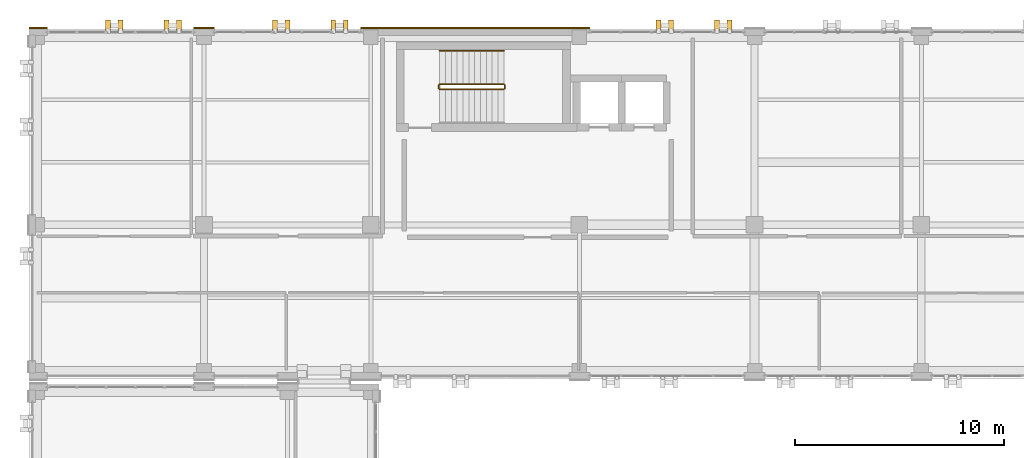
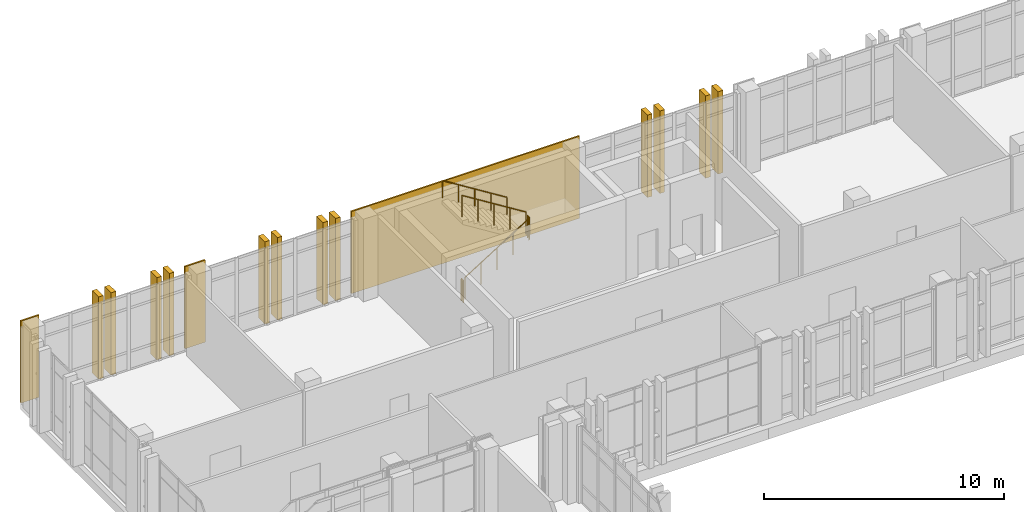
# One storey, part 184 of 193: 15 coverings, 5 railings.
"""IFC4 building model written with IfcOpenShell, lengths in metres."""

from ifc_helpers import new_model, si_unit, direction, frame, origin, origin_2d, place, context, subcontext, project, spatial, rectangle, circle, extrude, material, layer, layer_set, type_object, element, save


model = new_model("IFC4")

# Units and contexts
model_context = context("Model", 3, precision=1e-05, world=origin(), true_north=direction((0.0, 1.0)))
body_context = subcontext(model_context, "Body", "Model", "MODEL_VIEW")
ifc_project = project(units=[si_unit("LENGTHUNIT", "METRE"), si_unit("AREAUNIT", "SQUARE_METRE"), si_unit("VOLUMEUNIT", "CUBIC_METRE"), si_unit("PLANEANGLEUNIT", "RADIAN"), si_unit("MASSUNIT", "GRAM", prefix="KILO")], contexts=[model_context])

# Site, building, storey
site_placement = place(None, origin())
site = spatial("IfcSite", under=ifc_project, at=site_placement, CompositionType="ELEMENT")
building_placement = place(site_placement, origin())
building = spatial("IfcBuilding", under=site, at=building_placement, Name="Qalavern Law Courts", CompositionType="ELEMENT")
storey_placement = place(building_placement, frame((0.0, 0.0, 10.199951171875)))
storey = spatial("IfcBuildingStorey", under=building, at=storey_placement, Name="L02", CompositionType="ELEMENT", Elevation=10.199951171875)

# Coverings
ifc_material_1 = material(Name="Precast concrete C40/50", Category="concrete")
ifc_layer_1 = layer(ifc_material_1, 0.22998046875)
ifc_layer_set_1 = layer_set([ifc_layer_1], Name="Precast concrete C40/50")
covering_type_1 = type_object("IfcCoveringType", Name="ENV-BLD-2", PredefinedType="CLADDING", material=ifc_layer_set_1)
for number, where, z_axis, x_axis, name in (
    (1, (35.60009765625, 113.155029296875, 0.005126953125), (0.0, 0.0, 1.0), (0.0, 1.0, 0.0), "Absheron stone facade blade 0991"),
    (2, (35.0, 113.155029296875, 0.005126953125), (0.0, 0.0, 1.0), (0.0, 1.0, 0.0), "Absheron stone facade blade 0992"),
    (3, (32.800048828125, 113.155029296875, 0.005126953125), (0.0, 0.0, 1.0), (0.0, 1.0, 0.0), "Absheron stone facade blade 0993"),
    (4, (32.199951171875, 113.155029296875, 0.005126953125), (0.0, 0.0, 1.0), (0.0, 1.0, 0.0), "Absheron stone facade blade 0994"),
    (5, (17.199951171875, 113.155029296875, 0.005126953125), (0.0, 0.0, 1.0), (0.0, 1.0, 0.0), "Absheron stone facade blade 0995"),
    (6, (16.60009765625, 113.155029296875, 0.005126953125), (0.0, 0.0, 1.0), (0.0, 1.0, 0.0), "Absheron stone facade blade 0996"),
    (7, (14.39990234375, 113.155029296875, 0.005126953125), (0.0, 0.0, 1.0), (0.0, 1.0, 0.0), "Absheron stone facade blade 0997"),
    (8, (13.800048828125, 113.155029296875, 0.005126953125), (0.0, 0.0, 1.0), (0.0, 1.0, 0.0), "Absheron stone facade blade 0998"),
    (9, (9.199951171875, 113.155029296875, 0.005126953125), (0.0, 0.0, 1.0), (0.0, 1.0, 0.0), "Absheron stone facade blade 0999"),
    (10, (8.60009765625, 113.155029296875, 0.005126953125), (0.0, 0.0, 1.0), (0.0, 1.0, 0.0), "Absheron stone facade blade 1000"),
    (11, (6.39990234375, 113.155029296875, 0.005126953125), (0.0, 0.0, 1.0), (0.0, 1.0, 0.0), "Absheron stone facade blade 1001"),
    (12, (5.800048828125, 113.155029296875, 0.005126953125), (0.0, 0.0, 1.0), (0.0, 1.0, 0.0), "Absheron stone facade blade 1002"),
):
    element("IfcCovering", number, at=place(storey_placement, frame(where, z_axis=z_axis, x_axis=x_axis)), inside=storey, type_object=covering_type_1, Name=name, PredefinedType="CLADDING", context=body_context, shape_type="SweptSolid", body=[
        extrude(rectangle(XDim=0.5400390625, YDim=0.22998046875, at=origin_2d()), origin(), (0.0, 0.0, 1.0), 4.18994140625),
    ])
ifc_layer_2 = layer(ifc_material_1, 0.072021484375)
ifc_layer_set_2 = layer_set([ifc_layer_2], Name="Precast concrete C40/50")
covering_type_2 = type_object("IfcCoveringType", Name="ENV-CLD-2", PredefinedType="CLADDING", material=ifc_layer_set_2)
covering_1_placement = place(storey_placement, frame((23.39990234375, 113.032958984375, 0.01025390625), z_axis=(0.0, 0.0, 1.0), x_axis=(-1.0, 0.0, 0.0)))
element("IfcCovering", 13, at=covering_1_placement, inside=storey, type_object=covering_type_2, Name="V5 Absheron limestone pier facing L02 north 6", PredefinedType="CLADDING", context=body_context, shape_type="SweptSolid", body=[
    extrude(rectangle(XDim=10.97998046875, YDim=0.072021484375, at=origin_2d()), origin(), (0.0, 0.0, 1.0), 4.179931640625),
])
covering_2_placement = place(storey_placement, frame((10.39990234375, 113.032958984375, 0.01025390625), z_axis=(0.0, 0.0, 1.0), x_axis=(-1.0, 0.0, 0.0)))
element("IfcCovering", 14, at=covering_2_placement, inside=storey, type_object=covering_type_2, Name="V5 Absheron limestone pier facing L02 north 7", PredefinedType="CLADDING", context=body_context, shape_type="SweptSolid", body=[
    extrude(rectangle(XDim=0.97998046875, YDim=0.072021484375, at=origin_2d()), origin(), (0.0, 0.0, 1.0), 4.179931640625),
])
covering_3_placement = place(storey_placement, frame((2.449951171875, 113.032958984375, 0.01025390625), z_axis=(0.0, 0.0, 1.0), x_axis=(-1.0, 0.0, 0.0)))
element("IfcCovering", 15, at=covering_3_placement, inside=storey, type_object=covering_type_2, Name="V5 Absheron limestone pier facing L02 north 8", PredefinedType="CLADDING", context=body_context, shape_type="SweptSolid", body=[
    extrude(rectangle(XDim=0.8798828125, YDim=0.072021484375, at=origin_2d()), origin(), (0.0, 0.0, 1.0), 4.179931640625),
])

# Railings
ifc_material_2 = material(Name="Steel S355", Category="steel")
railing_type_1 = type_object("IfcRailingType", Name="INT-GUARD-1120", PredefinedType="BALUSTRADE", material=ifc_material_2)
railing_1_placement = place(storey_placement, frame((21.699951171875, 110.10009765625, 0.175048828125)))
element("IfcRailing", 16, at=railing_1_placement, inside=storey, type_object=railing_type_1, Name="L02 ST-K3 stair guard 1", PredefinedType="BALUSTRADE", context=body_context, shape_type="SweptSolid", body=[
    extrude(circle(Radius=0.02392578125, at=origin_2d()), frame((0.0, 0.0, 1.09619140625), z_axis=(0.847998304005, 0.0, 0.529998940003), x_axis=(0.0, 1.0, 0.0)), (0.0, 0.0, 1.0), 3.632080078125),
    extrude(circle(Radius=0.02099609375, at=origin_2d()), origin(), (0.0, 0.0, 1.0), 1.072021484375),
    extrude(circle(Radius=0.02099609375, at=origin_2d()), frame((0.77001953125, 0.0, 0.481201171875)), (0.0, 0.0, 1.0), 1.072021484375),
    extrude(circle(Radius=0.02099609375, at=origin_2d()), frame((1.5400390625, 0.0, 0.96240234375)), (0.0, 0.0, 1.0), 1.072021484375),
    extrude(circle(Radius=0.02099609375, at=origin_2d()), frame((2.31005859375, 0.0, 1.44384765625)), (0.0, 0.0, 1.0), 1.072021484375),
    extrude(circle(Radius=0.02099609375, at=origin_2d()), frame((3.080078125, 0.0, 1.925048828125)), (0.0, 0.0, 1.0), 1.072021484375),
])
railing_2_placement = place(storey_placement, frame((24.830078125, 110.14990234375, 2.10009765625)))
element("IfcRailing", 17, at=railing_2_placement, inside=storey, type_object=railing_type_1, Name="L02 ST-K3 stair guard 2", PredefinedType="BALUSTRADE", context=body_context, shape_type="SweptSolid", body=[
    extrude(circle(Radius=0.02392578125, at=origin_2d()), frame((0.0, 0.0, 1.09619140625), z_axis=(0.0, 1.0, 0.0), x_axis=(-1.0, 0.0, 0.0)), (0.0, 0.0, 1.0), 0.150146484375),
    extrude(circle(Radius=0.02099609375, at=origin_2d()), origin(), (0.0, 0.0, 1.0), 1.072021484375),
    extrude(circle(Radius=0.02099609375, at=origin_2d()), frame((0.0, 0.150146484375, 0.0)), (0.0, 0.0, 1.0), 1.072021484375),
])
railing_3_placement = place(storey_placement, frame((24.780029296875, 110.35009765625, 2.275146484375)))
element("IfcRailing", 18, at=railing_3_placement, inside=storey, type_object=railing_type_1, Name="L02 ST-K3 stair guard 3", PredefinedType="BALUSTRADE", context=body_context, shape_type="SweptSolid", body=[
    extrude(circle(Radius=0.02392578125, at=origin_2d()), frame((0.0, 0.0, 1.09619140625), z_axis=(-0.848028513186, 0.0, 0.529950602248), x_axis=(0.0, -1.0, 0.0)), (0.0, 0.0, 1.0), 3.632080078125),
    extrude(circle(Radius=0.02099609375, at=origin_2d()), origin(), (0.0, 0.0, 1.0), 1.072021484375),
    extrude(circle(Radius=0.02099609375, at=origin_2d()), frame((-0.77001953125, 0.0, 0.481201171875)), (0.0, 0.0, 1.0), 1.072021484375),
    extrude(circle(Radius=0.02099609375, at=origin_2d()), frame((-1.5400390625, 0.0, 0.96240234375)), (0.0, 0.0, 1.0), 1.072021484375),
    extrude(circle(Radius=0.02099609375, at=origin_2d()), frame((-2.31005859375, 0.0, 1.443603515625)), (0.0, 0.0, 1.0), 1.072021484375),
    extrude(circle(Radius=0.02099609375, at=origin_2d()), frame((-3.080078125, 0.0, 1.9248046875)), (0.0, 0.0, 1.0), 1.072021484375),
])
railing_4_placement = place(storey_placement, frame((21.64990234375, 110.14990234375, 0.0)))
element("IfcRailing", 19, at=railing_4_placement, inside=storey, type_object=railing_type_1, Name="L02 ST-K3 stair guard 4", PredefinedType="BALUSTRADE", context=body_context, shape_type="SweptSolid", body=[
    extrude(circle(Radius=0.02392578125, at=origin_2d()), frame((0.0, 0.0, 1.09619140625), z_axis=(0.0, 1.0, 0.0), x_axis=(-1.0, 0.0, 0.0)), (0.0, 0.0, 1.0), 0.150146484375),
    extrude(circle(Radius=0.02099609375, at=origin_2d()), origin(), (0.0, 0.0, 1.0), 1.072021484375),
    extrude(circle(Radius=0.02099609375, at=origin_2d()), frame((0.0, 0.150146484375, 0.0)), (0.0, 0.0, 1.0), 1.072021484375),
])
railing_type_2 = type_object("IfcRailingType", Name="INT-HRAIL-920", PredefinedType="HANDRAIL", material=ifc_material_2)
railing_5_placement = place(storey_placement, frame((24.780029296875, 111.949951171875, 2.275146484375)))
element("IfcRailing", 20, at=railing_5_placement, inside=storey, type_object=railing_type_2, Name="L02 ST-K3 stair handrail 2", PredefinedType="HANDRAIL", context=body_context, shape_type="SweptSolid", body=[
    extrude(circle(Radius=0.02392578125, at=origin_2d()), frame((0.0, 0.0, 0.8759765625), z_axis=(-0.848028513186, 0.0, 0.529950602248), x_axis=(0.0, -1.0, 0.0)), (0.0, 0.0, 1.0), 3.632080078125),
    extrude(circle(Radius=0.02099609375, at=origin_2d()), origin(), (0.0, 0.0, 1.0), 0.851806640625),
    extrude(circle(Radius=0.02099609375, at=origin_2d()), frame((-0.77001953125, 0.0, 0.481201171875)), (0.0, 0.0, 1.0), 0.851806640625),
    extrude(circle(Radius=0.02099609375, at=origin_2d()), frame((-1.5400390625, 0.0, 0.96240234375)), (0.0, 0.0, 1.0), 0.851806640625),
    extrude(circle(Radius=0.02099609375, at=origin_2d()), frame((-2.31005859375, 0.0, 1.443603515625)), (0.0, 0.0, 1.0), 0.851806640625),
    extrude(circle(Radius=0.02099609375, at=origin_2d()), frame((-3.080078125, 0.0, 1.9248046875)), (0.0, 0.0, 1.0), 0.851806640625),
])

save(model, "model.ifc")
